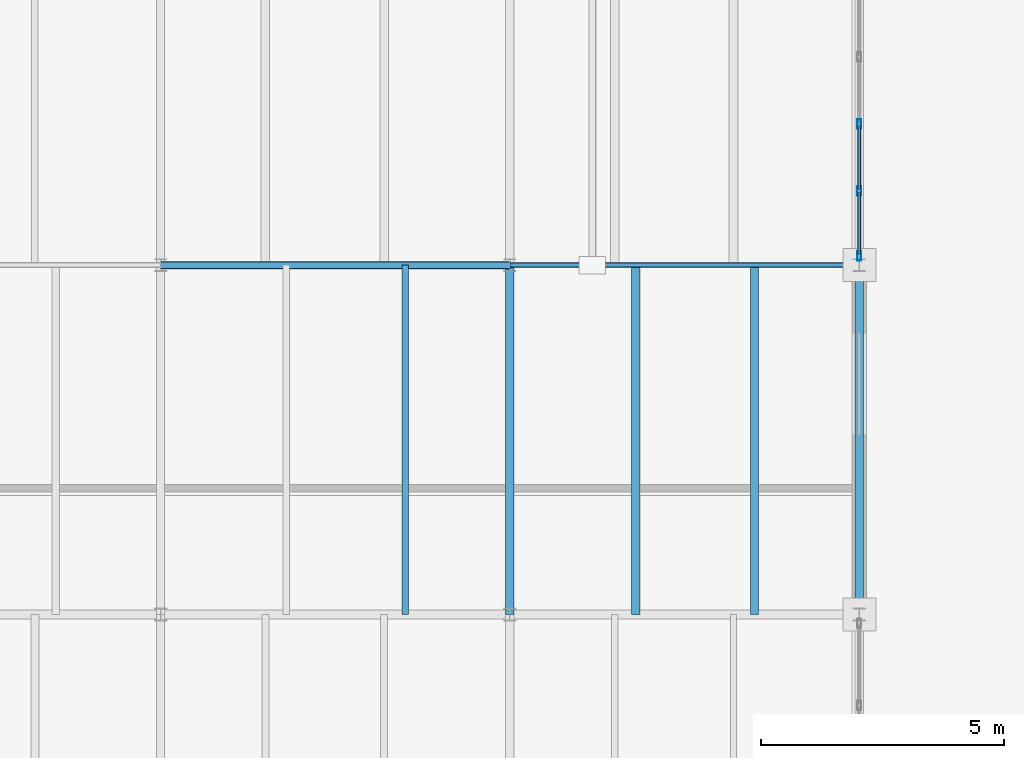
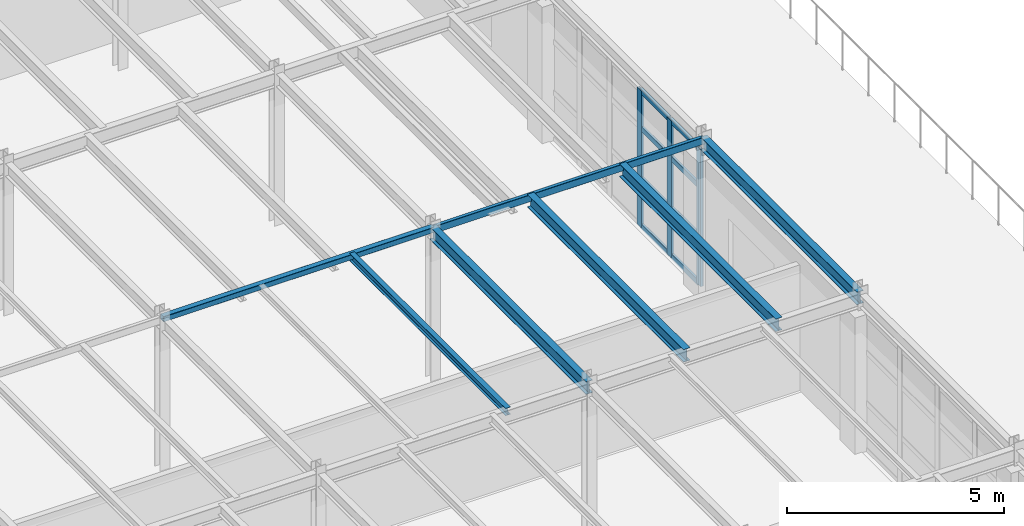
# One storey, part 17 of 36: 11 members, 7 beams, 1 element without a shape of its own.
"""IFC4 building model written with IfcOpenShell, lengths in metres."""

import ifcopenshell
import ifcopenshell.guid

model = None  # the IFC model being written
_history = None  # IfcOwnerHistory: only IFC2X3 demands one
_inside = {}  # id of a spatial element -> (the spatial element, [elements in it])
_under = {}  # id of a project, library or spatial element -> (it, [spatial elements below it])
_declared = {}  # id of a project -> (the project, [libraries it declares])
_typed = {}  # id of a type object -> (the type object, [elements of that type])
_made_of = {}  # id of a material, layer set ... -> (it, [elements and type objects made of it])


def new_model(schema):
    """Start an empty IFC model of exactly this schema.

    Asked for "IFC4X3", IfcOpenShell would pick the latest addendum, in which some entities
    have other attributes; the version numbers below select the first issue.
    IFC2X3 requires an IfcOwnerHistory on every rooted entity: one is made here for all.
    """
    global model, _history
    if schema == "IFC4X3":
        model = ifcopenshell.file(schema_version=(4, 3, 0, 0))
    else:
        model = ifcopenshell.file(schema=schema)
    _inside.clear()
    _under.clear()
    _declared.clear()
    _typed.clear()
    _made_of.clear()
    _history = None
    if model.schema == "IFC2X3":
        org = make("IfcOrganization", Name="unknown")
        user = make(
            "IfcPersonAndOrganization",
            ThePerson=make("IfcPerson", FamilyName="unknown"),
            TheOrganization=org,
        )
        app = make(
            "IfcApplication",
            ApplicationDeveloper=org,
            Version="unknown",
            ApplicationFullName="unknown",
            ApplicationIdentifier="unknown",
        )
        _history = make(
            "IfcOwnerHistory",
            OwningUser=user,
            OwningApplication=app,
            ChangeAction="ADDED",
            CreationDate=0,
        )
    return model


def make(cls, **values):
    """One entity of the class cls with the attributes given. An attribute that is None is left unset."""
    return model.create_entity(
        cls, **{name: value for name, value in values.items() if value is not None}
    )


def rooted(cls, **values):
    """An entity with a GlobalId (a new one), such as an element, a storey or a relation."""
    return make(cls, GlobalId=ifcopenshell.guid.new(), OwnerHistory=_history, **values)


def si_unit(unit_type, name, prefix=None):
    """IfcSIUnit, for example si_unit("LENGTHUNIT", "METRE", prefix="MILLI")."""
    return make("IfcSIUnit", UnitType=unit_type, Prefix=prefix, Name=name)


def assignment(units):
    """IfcUnitAssignment: the units of a project."""
    return None if units is None else make("IfcUnitAssignment", Units=units)


def point(xyz):
    """IfcCartesianPoint."""
    return None if xyz is None else make("IfcCartesianPoint", Coordinates=xyz)


def direction(xyz):
    """IfcDirection."""
    return None if xyz is None else make("IfcDirection", DirectionRatios=xyz)


def frame(location, z_axis=None, x_axis=None):
    """IfcAxis2Placement3D, a coordinate frame: its origin and axes. An axis left out is left unset."""
    return make(
        "IfcAxis2Placement3D",
        Location=point(location),
        Axis=direction(z_axis),
        RefDirection=direction(x_axis),
    )


def frame_2d(location, x_axis=None):
    """IfcAxis2Placement2D, a coordinate frame in the plane: its origin and x axis."""
    return make(
        "IfcAxis2Placement2D", Location=point(location), RefDirection=direction(x_axis)
    )


def origin():
    """The frame at (0, 0, 0) with its axes left unset."""
    return frame((0.0, 0.0, 0.0))


def origin_2d():
    """The frame at (0, 0) in the plane with its x axis left unset."""
    return frame_2d((0.0, 0.0))


def place(relative_to, where):
    """IfcLocalPlacement: puts the frame where relative to a parent placement (None: the world)."""
    return make(
        "IfcLocalPlacement", PlacementRelTo=relative_to, RelativePlacement=where
    )


def context(
    kind, dimensions, precision=None, world=None, true_north=None, identifier=None
):
    """IfcGeometricRepresentationContext, for example the 3D "Model" context."""
    return make(
        "IfcGeometricRepresentationContext",
        ContextIdentifier=identifier,
        ContextType=kind,
        CoordinateSpaceDimension=dimensions,
        Precision=precision,
        WorldCoordinateSystem=world,
        TrueNorth=true_north,
    )


def subcontext(parent, identifier, kind, view, scale=None):
    """IfcGeometricRepresentationSubContext, for example "Body" below "Model"."""
    return make(
        "IfcGeometricRepresentationSubContext",
        ContextIdentifier=identifier,
        ContextType=kind,
        ParentContext=parent,
        TargetScale=scale,
        TargetView=view,
    )


def project(units=None, contexts=None):
    """IfcProject with its units and contexts."""
    return rooted(
        "IfcProject",
        Name="project",
        RepresentationContexts=contexts,
        UnitsInContext=assignment(units),
    )


def spatial(cls, under=None, at=None, **own):
    """A site, building, storey or space (cls), placed at a placement, below another one or the project."""
    s = rooted(cls, ObjectPlacement=at, **own)
    if under is not None:
        _under.setdefault(under.id(), (under, []))[1].append(s)
    return s


def profile(cls, at=None, kind="AREA", **sizes):
    """A parametric profile (cls). Its sizes go by their IFC names, for example OverallWidth=200.0."""
    return make(cls, ProfileType=kind, Position=at, **sizes)


def hollow_rectangle(**sizes):
    """IfcRectangleHollowProfileDef."""
    return profile("IfcRectangleHollowProfileDef", **sizes)


def i_section(**sizes):
    """IfcIShapeProfileDef."""
    return profile("IfcIShapeProfileDef", **sizes)


def extrude(swept, where, along, depth):
    """IfcExtrudedAreaSolid: the profile swept, set in the frame where, extruded along a direction by depth."""
    return make(
        "IfcExtrudedAreaSolid",
        SweptArea=swept,
        Position=where,
        ExtrudedDirection=direction(along),
        Depth=depth,
    )


def shape(context_of_items, identifier, shape_type, items):
    """IfcShapeRepresentation: the items that make up one representation, for example the "Body"."""
    return make(
        "IfcShapeRepresentation",
        ContextOfItems=context_of_items,
        RepresentationIdentifier=identifier,
        RepresentationType=shape_type,
        Items=items,
    )


def material(Name=None, Category=None):
    """IfcMaterial."""
    return make("IfcMaterial", Name=Name, Category=Category)


def layer(
    of_material, thickness, ventilated=None, Name=None, Category=None, Priority=None
):
    """IfcMaterialLayer: one layer of a wall or slab, of a material (None: an air gap)."""
    return make(
        "IfcMaterialLayer",
        Material=of_material,
        LayerThickness=thickness,
        IsVentilated=ventilated,
        Name=Name,
        Category=Category,
        Priority=Priority,
    )


def layer_set(layers, Name=None):
    """IfcMaterialLayerSet."""
    return make("IfcMaterialLayerSet", MaterialLayers=layers, LayerSetName=Name)


def material_profile(
    of_material, cross_section, Name=None, Category=None, Priority=None
):
    """IfcMaterialProfile: a cross section and its material."""
    return make(
        "IfcMaterialProfile",
        Name=Name,
        Material=of_material,
        Profile=cross_section,
        Priority=Priority,
        Category=Category,
    )


def profile_set(profiles, Name=None, composite=None):
    """IfcMaterialProfileSet."""
    return make(
        "IfcMaterialProfileSet",
        Name=Name,
        MaterialProfiles=profiles,
        CompositeProfile=composite,
    )


def made_of(thing, what):
    """Note that an element or type object is made of a material, layer set ...; save() writes the relation."""
    if what is not None:
        _made_of.setdefault(what.id(), (what, []))[1].append(thing)
    return thing


def type_object(cls, material=None, **own):
    """A type object (cls), such as IfcWallType, which elements share."""
    return made_of(rooted(cls, **own), material)


def element(
    cls,
    number,
    at=None,
    inside=None,
    cuts=None,
    type_object=None,
    material=None,
    context=None,
    identifier="Body",
    shape_type=None,
    held_by="IfcProductDefinitionShape",
    body=None,
    shapes=None,
    **own,
):
    """One element of the class cls, such as IfcWall. Its Tag is "e" and its number.

    at: its placement. inside: the storey or other place that contains it. cuts: it is an
    opening in that element (IfcRelVoidsElement). A single representation is given by context,
    identifier, shape_type and body (its items); several are given by shapes. held_by: the class
    of the entity that holds the representations. save() writes the other relations.
    """
    e = rooted(cls, Tag="e%d" % number, ObjectPlacement=at, **own)
    if body is not None:
        shapes = [shape(context, identifier, shape_type, body)]
    if shapes is not None:
        e.Representation = make(held_by, Representations=shapes)
    if inside is not None:
        _inside.setdefault(inside.id(), (inside, []))[1].append(e)
    if cuts is not None:
        rooted(
            "IfcRelVoidsElement", RelatingBuildingElement=cuts, RelatedOpeningElement=e
        )
    if type_object is not None:
        _typed.setdefault(type_object.id(), (type_object, []))[1].append(e)
    return made_of(e, material)


def aggregate(whole, parts):
    """IfcRelAggregates: a whole, such as a stair, and the parts it consists of."""
    return rooted("IfcRelAggregates", RelatingObject=whole, RelatedObjects=parts)


def save(model, path):
    """Write the relations noted so far, then the file.

    IfcRelAggregates (storeys below a building ...), IfcRelContainedInSpatialStructure (elements
    in a storey), IfcRelDefinesByType, IfcRelAssociatesMaterial and IfcRelDeclares: one each for
    every whole, place, type object, material and project.
    """
    for whole, parts in _under.values():
        aggregate(whole, parts)
    for where, things in _inside.values():
        rooted(
            "IfcRelContainedInSpatialStructure",
            RelatedElements=things,
            RelatingStructure=where,
        )
    for kind, things in _typed.values():
        rooted("IfcRelDefinesByType", RelatedObjects=things, RelatingType=kind)
    for what, things in _made_of.values():
        rooted("IfcRelAssociatesMaterial", RelatedObjects=things, RelatingMaterial=what)
    for by, libraries in _declared.values():
        rooted("IfcRelDeclares", RelatingContext=by, RelatedDefinitions=libraries)
    model.write(path)


model = new_model("IFC4")

# Units and contexts
model_context = context("Model", 3, precision=1e-05, world=origin(), true_north=direction((0.0, 1.0)))
body_context = subcontext(model_context, "Body", "Model", "MODEL_VIEW")
ifc_project = project(units=[si_unit("LENGTHUNIT", "METRE"), si_unit("AREAUNIT", "SQUARE_METRE"), si_unit("VOLUMEUNIT", "CUBIC_METRE"), si_unit("PLANEANGLEUNIT", "RADIAN"), si_unit("MASSUNIT", "GRAM", prefix="KILO")], contexts=[model_context])

# Site, building, storey
site_placement = place(None, origin())
site = spatial("IfcSite", under=ifc_project, at=site_placement, CompositionType="ELEMENT")
building_placement = place(site_placement, origin())
building = spatial("IfcBuilding", under=site, at=building_placement, Name="Kemerveld Promenade Tramway Depot", CompositionType="ELEMENT")
storey_placement = place(building_placement, frame((0.0, 0.0, 14.39990234375)))
storey = spatial("IfcBuildingStorey", under=building, at=storey_placement, Name="L03", CompositionType="ELEMENT", Elevation=14.39990234375)

# Beams
ifc_material_1 = material(Name="Steel S355", Category="steel")
ifc_material_profile_1 = material_profile(ifc_material_1, i_section(OverallWidth=0.172119140625, OverallDepth=0.35791015625, WebThickness=0.008056640625, FlangeThickness=0.012939453125, FilletRadius=0.01025390625, at=origin_2d()), Name="356x171x57 UB")
ifc_profile_set_1 = profile_set([ifc_material_profile_1], Name="Steel S355")
beam_type_1 = type_object("IfcBeamType", Name="BM-G08", PredefinedType="BEAM", material=ifc_profile_set_1)
for number, where, z_axis, x_axis, name in (
    (1, (36.0, 21.60009765625, 4.106201171875), (0.0, 1.0, 0.0), (-1.0, 0.0, 0.0), "BMY-L03-06-D-E"),
    (2, (43.199951171875, 21.60009765625, 4.106201171875), (0.0, 1.0, 0.0), (-1.0, 0.0, 0.0), "BMY-L03-07-D-E"),
):
    element("IfcBeam", number, at=place(storey_placement, frame(where, z_axis=z_axis, x_axis=x_axis)), inside=storey, type_object=beam_type_1, Name=name, PredefinedType="BEAM", context=body_context, shape_type="SweptSolid", body=[
        extrude(i_section(OverallWidth=0.172119140625, OverallDepth=0.35791015625, WebThickness=0.008056640625, FlangeThickness=0.012939453125, FilletRadius=0.01025390625, at=origin_2d()), origin(), (0.0, 0.0, 1.0), 7.199951171875),
    ])
ifc_material_profile_2 = material_profile(ifc_material_1, i_section(OverallWidth=0.13330078125, OverallDepth=0.203125, WebThickness=0.005615234375, FlangeThickness=0.0078125, FilletRadius=0.007568359375, at=origin_2d()), Name="203x133x25 UB")
ifc_profile_set_2 = profile_set([ifc_material_profile_2], Name="Steel S355")
beam_type_2 = type_object("IfcBeamType", Name="BM-J03", PredefinedType="JOIST", material=ifc_profile_set_2)
beam_1_placement = place(storey_placement, frame((33.840087890625, 21.60009765625, 4.18359375), z_axis=(0.0, 1.0, 0.0), x_axis=(-1.0, 0.0, 0.0)))
element("IfcBeam", 3, at=beam_1_placement, inside=storey, type_object=beam_type_2, Name="JST-L03-05-D-2", PredefinedType="JOIST", context=body_context, shape_type="SweptSolid", body=[
    extrude(i_section(OverallWidth=0.13330078125, OverallDepth=0.203125, WebThickness=0.005615234375, FlangeThickness=0.0078125, FilletRadius=0.007568359375, at=origin_2d()), origin(), (0.0, 0.0, 1.0), 7.199951171875),
])
ifc_material_profile_3 = material_profile(ifc_material_1, i_section(OverallWidth=0.172119140625, OverallDepth=0.35791015625, WebThickness=0.008056640625, FlangeThickness=0.012939453125, FilletRadius=0.01025390625, at=origin_2d()), Name="356x171x57 UB")
ifc_profile_set_3 = profile_set([ifc_material_profile_3], Name="Steel S355")
beam_type_3 = type_object("IfcBeamType", Name="BM-J04", PredefinedType="JOIST", material=ifc_profile_set_3)
for number, where, z_axis, x_axis, name in (
    (4, (38.592041015625, 21.60009765625, 4.106201171875), (0.0, 1.0, 0.0), (-1.0, 0.0, 0.0), "JST-L03-06-D-1"),
    (5, (41.0400390625, 21.60009765625, 4.106201171875), (0.0, 1.0, 0.0), (-1.0, 0.0, 0.0), "JST-L03-06-D-2"),
):
    element("IfcBeam", number, at=place(storey_placement, frame(where, z_axis=z_axis, x_axis=x_axis)), inside=storey, type_object=beam_type_3, Name=name, PredefinedType="JOIST", context=body_context, shape_type="SweptSolid", body=[
        extrude(i_section(OverallWidth=0.172119140625, OverallDepth=0.35791015625, WebThickness=0.008056640625, FlangeThickness=0.012939453125, FilletRadius=0.01025390625, at=origin_2d()), origin(), (0.0, 0.0, 1.0), 7.199951171875),
    ])
ifc_material_profile_4 = material_profile(ifc_material_1, hollow_rectangle(XDim=0.10009765625, YDim=0.199951171875, WallThickness=0.008056640625, InnerFilletRadius=0.00390625, OuterFilletRadius=0.011962890625, at=origin_2d()), Name="200x100x8.0 RHS")
ifc_profile_set_4 = profile_set([ifc_material_profile_4], Name="Steel S355")
beam_type_4 = type_object("IfcBeamType", Name="BM-LN1", PredefinedType="LINTEL", material=ifc_profile_set_4)
beam_2_placement = place(storey_placement, frame((36.0, 28.800048828125, 4.18505859375), z_axis=(1.0, 0.0, 0.0), x_axis=(0.0, 1.0, 0.0)))
element("IfcBeam", 6, at=beam_2_placement, inside=storey, type_object=beam_type_4, Name="BMX-L03-06-07-E", PredefinedType="LINTEL", context=body_context, shape_type="SweptSolid", body=[
    extrude(hollow_rectangle(XDim=0.10009765625, YDim=0.199951171875, WallThickness=0.008056640625, InnerFilletRadius=0.00390625, OuterFilletRadius=0.011962890625, at=origin_2d()), origin(), (0.0, 0.0, 1.0), 7.199951171875),
])
ifc_material_profile_5 = material_profile(ifc_material_1, hollow_rectangle(XDim=0.14990234375, YDim=0.14990234375, WallThickness=0.008056640625, InnerFilletRadius=0.00390625, OuterFilletRadius=0.011962890625, at=origin_2d()), Name="150x150x8.0 SHS")
ifc_profile_set_5 = profile_set([ifc_material_profile_5], Name="Steel S355")
beam_type_5 = type_object("IfcBeamType", Name="BM-SP4", PredefinedType="SPANDREL", material=ifc_profile_set_5)
beam_3_placement = place(storey_placement, frame((28.800048828125, 28.800048828125, 4.210205078125), z_axis=(1.0, 0.0, 0.0), x_axis=(0.0, 1.0, 0.0)))
element("IfcBeam", 7, at=beam_3_placement, inside=storey, type_object=beam_type_5, Name="BMX-L03-05-06-E", PredefinedType="SPANDREL", context=body_context, shape_type="SweptSolid", body=[
    extrude(hollow_rectangle(XDim=0.14990234375, YDim=0.14990234375, WallThickness=0.008056640625, InnerFilletRadius=0.00390625, OuterFilletRadius=0.011962890625, at=origin_2d()), origin(), (0.0, 0.0, 1.0), 7.199951171875),
])

# Curtain wall, members
ifc_material_2 = material(Name="Bronze anodised aluminium and solar glass", Category="aluminium")
ifc_layer = layer(ifc_material_2, 0.199951171875)
ifc_layer_set = layer_set([ifc_layer], Name="CW-SYS-08")
curtain_wall_type = type_object("IfcCurtainWallType", Name="CW-SYS-08", PredefinedType="USERDEFINED", material=ifc_layer_set)
curtain_wall_placement = place(storey_placement, origin())
curtain_wall = element("IfcCurtainWall", 8, at=curtain_wall_placement, inside=storey, type_object=curtain_wall_type, Name="CW-L03-V5E-05", ObjectType="GLAZED_CURTAIN_WALL", PredefinedType="USERDEFINED")
ifc_material_3 = material(Name="Bronze anodised aluminium", Category="aluminium")
ifc_material_profile_6 = material_profile(ifc_material_3, hollow_rectangle(XDim=0.074951171875, YDim=0.199951171875, WallThickness=0.0048828125, InnerFilletRadius=0.001953125, OuterFilletRadius=0.0048828125, at=origin_2d()), Name="CW-MUL-200x75")
ifc_profile_set_6 = profile_set([ifc_material_profile_6], Name="Bronze anodised aluminium")
member_type_1 = type_object("IfcMemberType", Name="CW-MUL-B", PredefinedType="MULLION", material=ifc_profile_set_6)
member_1_placement = place(storey_placement, frame((43.199951171875, 31.7099609375, 0.0), z_axis=(0.0, 0.0, 1.0), x_axis=(1.0, 0.0, 0.0)))
member_1 = element("IfcMember", 9, at=member_1_placement, type_object=member_type_1, Name="CW08 mullion 4", PredefinedType="MULLION", context=body_context, shape_type="SweptSolid", body=[
    extrude(hollow_rectangle(XDim=0.074951171875, YDim=0.199951171875, WallThickness=0.0048828125, InnerFilletRadius=0.001953125, OuterFilletRadius=0.0048828125, at=origin_2d()), origin(), (0.0, 0.0, 1.0), 3.85009765625),
])
member_2_placement = place(storey_placement, frame((43.199951171875, 30.330078125, 0.0), z_axis=(0.0, 0.0, 1.0), x_axis=(1.0, 0.0, 0.0)))
member_2 = element("IfcMember", 10, at=member_2_placement, type_object=member_type_1, Name="CW08 mullion 5", PredefinedType="MULLION", context=body_context, shape_type="SweptSolid", body=[
    extrude(hollow_rectangle(XDim=0.074951171875, YDim=0.199951171875, WallThickness=0.0048828125, InnerFilletRadius=0.001953125, OuterFilletRadius=0.0048828125, at=origin_2d()), origin(), (0.0, 0.0, 1.0), 3.85009765625),
])
member_3_placement = place(storey_placement, frame((43.199951171875, 28.98779296875, 0.0), z_axis=(0.0, 0.0, 1.0), x_axis=(1.0, 0.0, 0.0)))
member_3 = element("IfcMember", 11, at=member_3_placement, type_object=member_type_1, Name="CW08 mullion 6", PredefinedType="MULLION", context=body_context, shape_type="SweptSolid", body=[
    extrude(hollow_rectangle(XDim=0.074951171875, YDim=0.199951171875, WallThickness=0.0048828125, InnerFilletRadius=0.001953125, OuterFilletRadius=0.0048828125, at=origin_2d()), origin(), (0.0, 0.0, 1.0), 3.85009765625),
])
ifc_material_profile_7 = material_profile(ifc_material_3, hollow_rectangle(XDim=0.06494140625, YDim=0.14990234375, WallThickness=0.00439453125, InnerFilletRadius=0.001953125, OuterFilletRadius=0.00439453125, at=origin_2d()), Name="CW-TRN-150x65")
ifc_profile_set_7 = profile_set([ifc_material_profile_7], Name="Bronze anodised aluminium")
member_type_2 = type_object("IfcMemberType", Name="CW-TRN-B", PredefinedType="USERDEFINED", material=ifc_profile_set_7)
member_4_placement = place(storey_placement, frame((43.199951171875, 31.672607421875, 0.03271484375), z_axis=(0.0, -1.0, 0.0), x_axis=(1.0, 0.0, 0.0)))
member_4 = element("IfcMember", 12, at=member_4_placement, type_object=member_type_2, Name="CW08 transom 4.1", ObjectType="TRANSOM", PredefinedType="USERDEFINED", context=body_context, shape_type="SweptSolid", body=[
    extrude(hollow_rectangle(XDim=0.06494140625, YDim=0.14990234375, WallThickness=0.00439453125, InnerFilletRadius=0.001953125, OuterFilletRadius=0.00439453125, at=origin_2d()), origin(), (0.0, 0.0, 1.0), 1.304931640625),
])
member_5_placement = place(storey_placement, frame((43.199951171875, 31.672607421875, 1.34814453125), z_axis=(0.0, -1.0, 0.0), x_axis=(1.0, 0.0, 0.0)))
member_5 = element("IfcMember", 13, at=member_5_placement, type_object=member_type_2, Name="CW08 transom 4.2", ObjectType="TRANSOM", PredefinedType="USERDEFINED", context=body_context, shape_type="SweptSolid", body=[
    extrude(hollow_rectangle(XDim=0.06494140625, YDim=0.14990234375, WallThickness=0.00439453125, InnerFilletRadius=0.001953125, OuterFilletRadius=0.00439453125, at=origin_2d()), origin(), (0.0, 0.0, 1.0), 1.304931640625),
])
member_6_placement = place(storey_placement, frame((43.199951171875, 31.672607421875, 2.772216796875), z_axis=(0.0, -1.0, 0.0), x_axis=(1.0, 0.0, 0.0)))
member_6 = element("IfcMember", 14, at=member_6_placement, type_object=member_type_2, Name="CW08 transom 4.3", ObjectType="TRANSOM", PredefinedType="USERDEFINED", context=body_context, shape_type="SweptSolid", body=[
    extrude(hollow_rectangle(XDim=0.06494140625, YDim=0.14990234375, WallThickness=0.00439453125, InnerFilletRadius=0.001953125, OuterFilletRadius=0.00439453125, at=origin_2d()), origin(), (0.0, 0.0, 1.0), 1.304931640625),
])
member_7_placement = place(storey_placement, frame((43.199951171875, 31.672607421875, 3.817626953125), z_axis=(0.0, -1.0, 0.0), x_axis=(1.0, 0.0, 0.0)))
member_7 = element("IfcMember", 15, at=member_7_placement, type_object=member_type_2, Name="CW08 transom 4.4", ObjectType="TRANSOM", PredefinedType="USERDEFINED", context=body_context, shape_type="SweptSolid", body=[
    extrude(hollow_rectangle(XDim=0.06494140625, YDim=0.14990234375, WallThickness=0.00439453125, InnerFilletRadius=0.001953125, OuterFilletRadius=0.00439453125, at=origin_2d()), origin(), (0.0, 0.0, 1.0), 1.304931640625),
])
member_8_placement = place(storey_placement, frame((43.199951171875, 30.292724609375, 0.03271484375), z_axis=(0.0, -1.0, 0.0), x_axis=(1.0, 0.0, 0.0)))
member_8 = element("IfcMember", 16, at=member_8_placement, type_object=member_type_2, Name="CW08 transom 5.1", ObjectType="TRANSOM", PredefinedType="USERDEFINED", context=body_context, shape_type="SweptSolid", body=[
    extrude(hollow_rectangle(XDim=0.06494140625, YDim=0.14990234375, WallThickness=0.00439453125, InnerFilletRadius=0.001953125, OuterFilletRadius=0.00439453125, at=origin_2d()), origin(), (0.0, 0.0, 1.0), 1.267578125),
])
member_9_placement = place(storey_placement, frame((43.199951171875, 30.292724609375, 1.34814453125), z_axis=(0.0, -1.0, 0.0), x_axis=(1.0, 0.0, 0.0)))
member_9 = element("IfcMember", 17, at=member_9_placement, type_object=member_type_2, Name="CW08 transom 5.2", ObjectType="TRANSOM", PredefinedType="USERDEFINED", context=body_context, shape_type="SweptSolid", body=[
    extrude(hollow_rectangle(XDim=0.06494140625, YDim=0.14990234375, WallThickness=0.00439453125, InnerFilletRadius=0.001953125, OuterFilletRadius=0.00439453125, at=origin_2d()), origin(), (0.0, 0.0, 1.0), 1.267578125),
])
member_10_placement = place(storey_placement, frame((43.199951171875, 30.292724609375, 2.772216796875), z_axis=(0.0, -1.0, 0.0), x_axis=(1.0, 0.0, 0.0)))
member_10 = element("IfcMember", 18, at=member_10_placement, type_object=member_type_2, Name="CW08 transom 5.3", ObjectType="TRANSOM", PredefinedType="USERDEFINED", context=body_context, shape_type="SweptSolid", body=[
    extrude(hollow_rectangle(XDim=0.06494140625, YDim=0.14990234375, WallThickness=0.00439453125, InnerFilletRadius=0.001953125, OuterFilletRadius=0.00439453125, at=origin_2d()), origin(), (0.0, 0.0, 1.0), 1.267578125),
])
member_11_placement = place(storey_placement, frame((43.199951171875, 30.292724609375, 3.817626953125), z_axis=(0.0, -1.0, 0.0), x_axis=(1.0, 0.0, 0.0)))
member_11 = element("IfcMember", 19, at=member_11_placement, type_object=member_type_2, Name="CW08 transom 5.4", ObjectType="TRANSOM", PredefinedType="USERDEFINED", context=body_context, shape_type="SweptSolid", body=[
    extrude(hollow_rectangle(XDim=0.06494140625, YDim=0.14990234375, WallThickness=0.00439453125, InnerFilletRadius=0.001953125, OuterFilletRadius=0.00439453125, at=origin_2d()), origin(), (0.0, 0.0, 1.0), 1.267578125),
])
aggregate(curtain_wall, [member_1, member_2, member_3, member_4, member_5, member_6, member_7, member_8, member_9, member_10, member_11])

save(model, "model.ifc")
